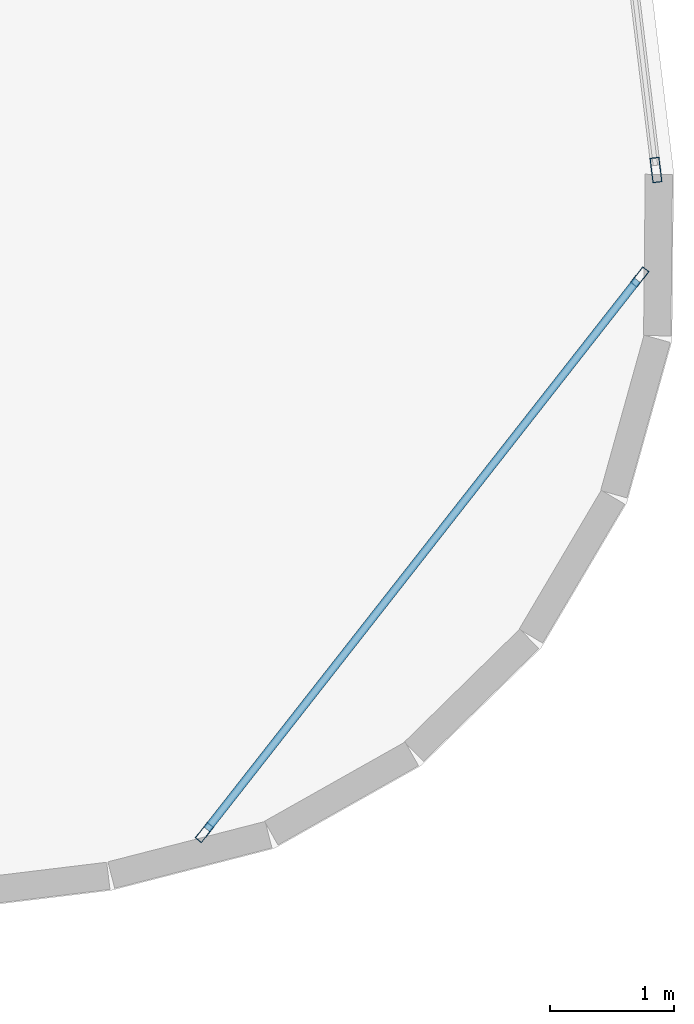
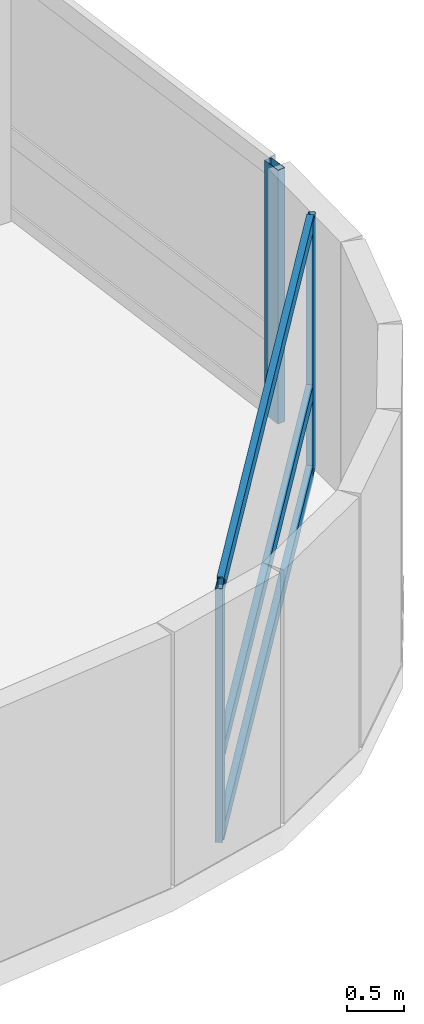
# One storey, part 10 of 24: 6 members, 2 elements without a shape of their own.
"""IFC4 building model written with IfcOpenShell, lengths in metres."""

from ifc_helpers import new_model, si_unit, direction, frame, origin, origin_2d, place, context, subcontext, project, spatial, hollow_rectangle, extrude, material, layer, layer_set, material_profile, profile_set, type_object, element, aggregate, save


model = new_model("IFC4")

# Units and contexts
model_context = context("Model", 3, precision=1e-05, world=origin(), true_north=direction((0.0, 1.0)))
body_context = subcontext(model_context, "Body", "Model", "MODEL_VIEW")
ifc_project = project(units=[si_unit("LENGTHUNIT", "METRE"), si_unit("AREAUNIT", "SQUARE_METRE"), si_unit("VOLUMEUNIT", "CUBIC_METRE"), si_unit("PLANEANGLEUNIT", "RADIAN"), si_unit("MASSUNIT", "GRAM", prefix="KILO")], contexts=[model_context])

# Site, building, storey
site_placement = place(None, origin())
site = spatial("IfcSite", under=ifc_project, at=site_placement, CompositionType="ELEMENT")
building_placement = place(site_placement, origin())
building = spatial("IfcBuilding", under=site, at=building_placement, Name="Varnelok Gate Tower", CompositionType="ELEMENT")
storey_placement = place(building_placement, frame((0.0, 0.0, 196.800048828125)))
storey = spatial("IfcBuildingStorey", under=building, at=storey_placement, Name="L50", CompositionType="ELEMENT", Elevation=196.800048828125)

# Curtain wall, members
ifc_material = material(Name="Anodized Aluminum Alloy 6063-T6", Category="aluminium")
ifc_layer_1 = layer(ifc_material, 0.179931640625)
ifc_layer_set_1 = layer_set([ifc_layer_1], Name="Anodized Aluminum Alloy 6063-T6")
curtain_wall_type_1 = type_object("IfcCurtainWallType", Name="CW5-WINDCORNER-GLAZ", PredefinedType="USERDEFINED", material=ifc_layer_set_1)
curtain_wall_1_placement = place(storey_placement, origin())
curtain_wall_1 = element("IfcCurtainWall", 1, at=curtain_wall_1_placement, inside=storey, type_object=curtain_wall_type_1, Name="L50 Wind-Shaped Corner Curtain Wall SE", ObjectType="STRUCTURAL GLAZING", PredefinedType="USERDEFINED")
ifc_material_profile_1 = material_profile(ifc_material, hollow_rectangle(XDim=0.06494140625, YDim=0.159912109375, WallThickness=0.00390625, at=origin_2d()), Name="ALU160X65X4")
ifc_profile_set_1 = profile_set([ifc_material_profile_1], Name="Anodized Aluminum Alloy 6063-T6")
member_type_1 = type_object("IfcMemberType", Name="CW-MULL-160", PredefinedType="MULLION", material=ifc_profile_set_1)
member_1_placement = place(storey_placement, frame((72.468994140625, 7.6484375, 0.0), z_axis=(0.0, 0.0, 1.0), x_axis=(-0.787064122397, 0.616871191769, 0.0)))
member_1 = element("IfcMember", 2, at=member_1_placement, type_object=member_type_1, Name="CW5 mullion 1", PredefinedType="MULLION", context=body_context, shape_type="SweptSolid", body=[
    extrude(hollow_rectangle(XDim=0.06494140625, YDim=0.159912109375, WallThickness=0.00390625, at=origin_2d()), origin(), (0.0, 0.0, 1.0), 2.72998046875),
])
member_2_placement = place(storey_placement, frame((75.9794921875, 12.12744140625, 0.0), z_axis=(0.0, 0.0, 1.0), x_axis=(-0.787064122397, 0.616871191769, 0.0)))
member_2 = element("IfcMember", 3, at=member_2_placement, type_object=member_type_1, Name="CW5 mullion 2", PredefinedType="MULLION", context=body_context, shape_type="SweptSolid", body=[
    extrude(hollow_rectangle(XDim=0.06494140625, YDim=0.159912109375, WallThickness=0.00390625, at=origin_2d()), origin(), (0.0, 0.0, 1.0), 2.72998046875),
])

# Curtain wall, member
ifc_layer_2 = layer(ifc_material, 0.179931640625)
ifc_layer_set_2 = layer_set([ifc_layer_2], Name="Anodized Aluminum Alloy 6063-T6")
curtain_wall_type_2 = type_object("IfcCurtainWallType", Name="CW4-RESIDENCE-VISION", PredefinedType="USERDEFINED", material=ifc_layer_set_2)
curtain_wall_2_placement = place(storey_placement, origin())
curtain_wall_2 = element("IfcCurtainWall", 4, at=curtain_wall_2_placement, inside=storey, type_object=curtain_wall_type_2, Name="L50 East End Vision Curtain Wall", ObjectType="UNITISED CURTAIN WALL", PredefinedType="USERDEFINED")
ifc_material_profile_2 = material_profile(ifc_material, hollow_rectangle(XDim=0.074951171875, YDim=0.199951171875, WallThickness=0.00390625, at=origin_2d()), Name="ALU200X75X4")
ifc_profile_set_2 = profile_set([ifc_material_profile_2], Name="Anodized Aluminum Alloy 6063-T6")
member_type_2 = type_object("IfcMemberType", Name="CW-MULL-200", PredefinedType="MULLION", material=ifc_profile_set_2)
member_3_placement = place(storey_placement, frame((76.109619140625, 12.989990234375, 0.0), z_axis=(0.0, 0.0, 1.0), x_axis=(0.992732188751, 0.120344511371, 0.0)))
member_3 = element("IfcMember", 5, at=member_3_placement, type_object=member_type_2, Name="CW4 mullion 6", PredefinedType="MULLION", context=body_context, shape_type="SweptSolid", body=[
    extrude(hollow_rectangle(XDim=0.074951171875, YDim=0.199951171875, WallThickness=0.00390625, at=origin_2d()), origin(), (0.0, 0.0, 1.0), 2.72998046875),
])
aggregate(curtain_wall_2, [member_3])

# Member
ifc_material_profile_3 = material_profile(ifc_material, hollow_rectangle(XDim=0.06494140625, YDim=0.159912109375, WallThickness=0.00390625, at=origin_2d()), Name="ALU160X65X4")
ifc_profile_set_3 = profile_set([ifc_material_profile_3], Name="Anodized Aluminum Alloy 6063-T6")
member_type_3 = type_object("IfcMemberType", Name="CW-TRAN-160", PredefinedType="USERDEFINED", material=ifc_profile_set_3)
member_4_placement = place(storey_placement, frame((72.489013671875, 7.674072265625, 0.032470703125), z_axis=(0.616868585551, 0.787066165046, 0.0), x_axis=(-0.787066165046, 0.616868585551, 0.0)))
member_4 = element("IfcMember", 6, at=member_4_placement, type_object=member_type_3, Name="CW5 transom 1.1", ObjectType="TRANSOM", PredefinedType="USERDEFINED", context=body_context, shape_type="SweptSolid", body=[
    extrude(hollow_rectangle(XDim=0.06494140625, YDim=0.159912109375, WallThickness=0.00390625, at=origin_2d()), origin(), (0.0, 0.0, 1.0), 5.6259765625),
])

member_5_placement = place(storey_placement, frame((72.489013671875, 7.674072265625, 0.89990234375), z_axis=(0.616868585551, 0.787066165046, 0.0), x_axis=(-0.787066165046, 0.616868585551, 0.0)))
member_5 = element("IfcMember", 7, at=member_5_placement, type_object=member_type_3, Name="CW5 transom 1.2", ObjectType="TRANSOM", PredefinedType="USERDEFINED", context=body_context, shape_type="SweptSolid", body=[
    extrude(hollow_rectangle(XDim=0.06494140625, YDim=0.159912109375, WallThickness=0.00390625, at=origin_2d()), origin(), (0.0, 0.0, 1.0), 5.6259765625),
])

member_6_placement = place(storey_placement, frame((72.489013671875, 7.674072265625, 2.697509765625), z_axis=(0.616868585551, 0.787066165046, 0.0), x_axis=(-0.787066165046, 0.616868585551, 0.0)))
member_6 = element("IfcMember", 8, at=member_6_placement, type_object=member_type_3, Name="CW5 transom 1.3", ObjectType="TRANSOM", PredefinedType="USERDEFINED", context=body_context, shape_type="SweptSolid", body=[
    extrude(hollow_rectangle(XDim=0.06494140625, YDim=0.159912109375, WallThickness=0.00390625, at=origin_2d()), origin(), (0.0, 0.0, 1.0), 5.6259765625),
])

aggregate(curtain_wall_1, [member_1, member_2, member_4, member_5, member_6])

save(model, "model.ifc")
